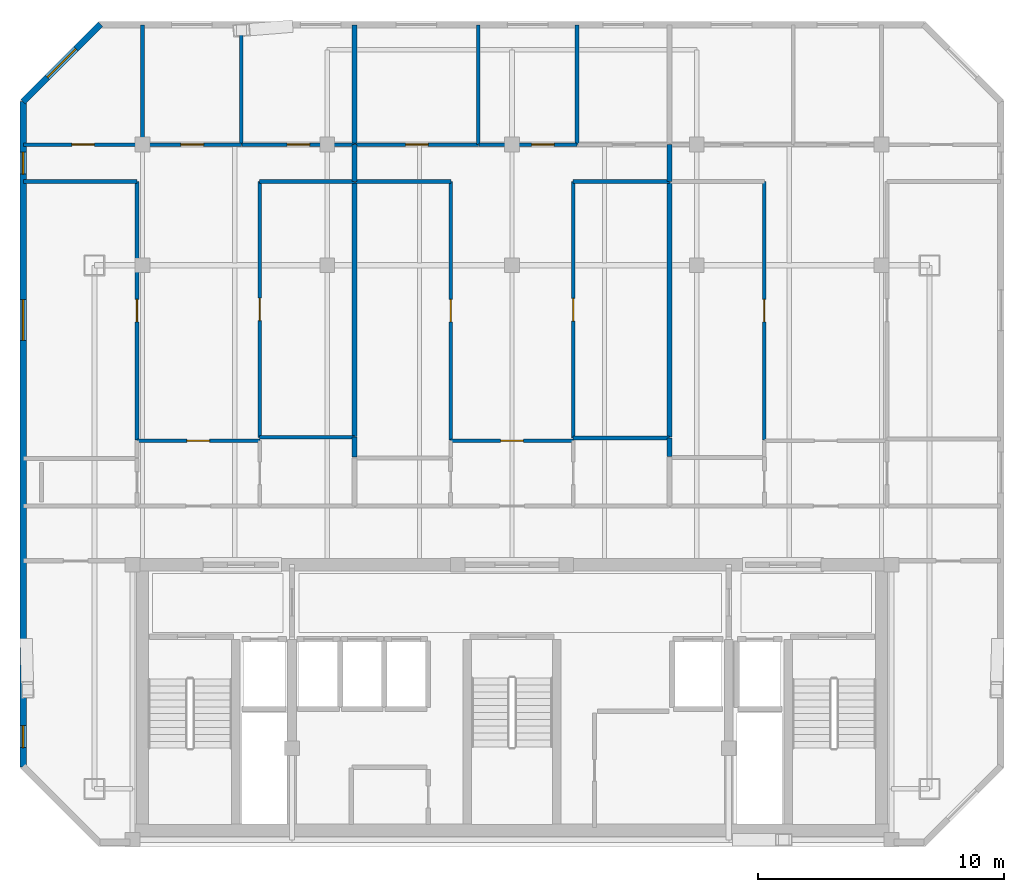
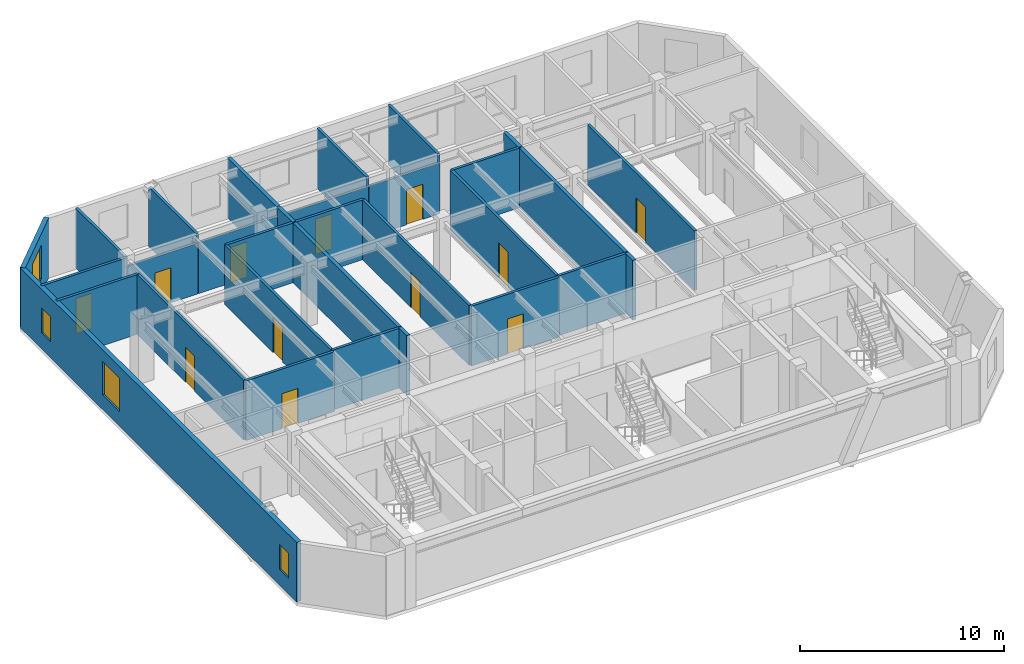
# One storey, part 4 of 7: 31 walls, 12 doors, 4 windows, 16 openings.
"""IFC4 building model written with IfcOpenShell, lengths in metres."""

from ifc_helpers import new_model, si_unit, direction, frame, frame_2d, origin, place, context, subcontext, project, spatial, rectangle, extrude, material, layer, layer_set, type_object, element, fill, save


model = new_model("IFC4")

# Units and contexts
model_context = context("Model", 3, precision=1e-05, world=origin(), true_north=direction((0.0, 1.0)))
body_context = subcontext(model_context, "Body", "Model", "MODEL_VIEW")
ifc_project = project(units=[si_unit("LENGTHUNIT", "METRE"), si_unit("AREAUNIT", "SQUARE_METRE"), si_unit("VOLUMEUNIT", "CUBIC_METRE"), si_unit("PLANEANGLEUNIT", "RADIAN"), si_unit("MASSUNIT", "GRAM", prefix="KILO")], contexts=[model_context])

# Site, building, storey
site_placement = place(None, origin())
site = spatial("IfcSite", under=ifc_project, at=site_placement, CompositionType="ELEMENT")
building_placement = place(site_placement, origin())
building = spatial("IfcBuilding", under=site, at=building_placement, Name="Ventersveld Concourse Tower", CompositionType="ELEMENT")
storey_placement = place(building_placement, frame((0.0, 0.0, 304.14990234375)))
storey = spatial("IfcBuildingStorey", under=building, at=storey_placement, Name="L75", CompositionType="ELEMENT", Elevation=304.14990234375)

# Walls
ifc_material_1 = material(Name="Fire-rated autoclaved aerated masonry blockwork", Category="masonry")
ifc_layer_1 = layer(ifc_material_1, 0.199951171875)
ifc_layer_set_1 = layer_set([ifc_layer_1], Name="Fire-rated autoclaved aerated masonry blockwork")
wall_type_1 = type_object("IfcWallType", Name="WL-DEMISE-200", PredefinedType="PARTITIONING", material=ifc_layer_set_1)
wall_1_placement = place(storey_placement, frame((22.356689453125, 26.9951171875, 0.0), z_axis=(0.0, 0.0, 1.0), x_axis=(0.0, 1.0, 0.0)))
element("IfcWall", 1, at=wall_1_placement, inside=storey, type_object=wall_type_1, Name="L75 Interior Partition SP-L75-75N1-LIV-SP-L75-75N2-LIV", PredefinedType="PARTITIONING", context=body_context, shape_type="SweptSolid", body=[
    extrude(rectangle(XDim=1.509765625, YDim=0.199951171875, at=frame_2d((0.7548828125, 0.0))), origin(), (0.0, 0.0, 1.0), 3.570068359375),
])
wall_2_placement = place(storey_placement, frame((22.356689453125, 15.8173828125, 0.0), z_axis=(0.0, 0.0, 1.0), x_axis=(0.0, 1.0, 0.0)))
element("IfcWall", 2, at=wall_2_placement, inside=storey, type_object=wall_type_1, Name="L75 Interior Partition SP-L75-75N1-KIT-SP-L75-75N2-OFFL0", PredefinedType="PARTITIONING", context=body_context, shape_type="SweptSolid", body=[
    extrude(rectangle(XDim=0.812744140625, YDim=0.199951171875, at=frame_2d((0.40625, 0.0))), origin(), (0.0, 0.0, 1.0), 3.570068359375),
])
wall_3_placement = place(storey_placement, frame((22.356689453125, 16.66015625, 0.0), z_axis=(0.0, 0.0, 1.0), x_axis=(0.0, 1.0, 0.0)))
element("IfcWall", 3, at=wall_3_placement, inside=storey, type_object=wall_type_1, Name="L75 Interior Partition SP-L75-75N1-SEMR1-SP-L75-75N2-OFFL0", PredefinedType="PARTITIONING", context=body_context, shape_type="SweptSolid", body=[
    extrude(rectangle(XDim=10.304931640625, YDim=0.199951171875, at=frame_2d((5.15234375, 0.0))), origin(), (0.0, 0.0, 1.0), 3.570068359375),
])
wall_4_placement = place(storey_placement, frame((22.356689453125, 28.534912109375, 0.0), z_axis=(0.0, 0.0, 1.0), x_axis=(0.0, 1.0, 0.0)))
element("IfcWall", 4, at=wall_4_placement, inside=storey, type_object=wall_type_1, Name="L75 Interior Partition SP-L75-75N1-BR3-SP-L75-75N2-BR1", PredefinedType="PARTITIONING", context=body_context, shape_type="SweptSolid", body=[
    extrude(rectangle(XDim=4.814453125, YDim=0.199951171875, at=frame_2d((2.4072265625, 0.0))), origin(), (0.0, 0.0, 1.0), 3.570068359375),
])
wall_5_placement = place(storey_placement, frame((35.1435546875, 26.9951171875, 0.0), z_axis=(0.0, 0.0, 1.0), x_axis=(0.0, 1.0, 0.0)))
element("IfcWall", 5, at=wall_5_placement, inside=storey, type_object=wall_type_1, Name="L75 Interior Partition SP-L75-75N2-LIV-SP-L75-75N3-LIV", PredefinedType="PARTITIONING", context=body_context, shape_type="SweptSolid", body=[
    extrude(rectangle(XDim=1.509765625, YDim=0.199951171875, at=frame_2d((0.7548828125, 0.0))), origin(), (0.0, 0.0, 1.0), 3.570068359375),
])
wall_6_placement = place(storey_placement, frame((35.1435546875, 15.843017578125, 0.0), z_axis=(0.0, 0.0, 1.0), x_axis=(0.0, 1.0, 0.0)))
element("IfcWall", 6, at=wall_6_placement, inside=storey, type_object=wall_type_1, Name="L75 Interior Partition SP-L75-75N2-KIT-SP-L75-75N3-OFFL0", PredefinedType="PARTITIONING", context=body_context, shape_type="SweptSolid", body=[
    extrude(rectangle(XDim=0.750244140625, YDim=0.199951171875, at=frame_2d((0.375, 0.0))), origin(), (0.0, 0.0, 1.0), 3.570068359375),
])
wall_7_placement = place(storey_placement, frame((35.1435546875, 16.623291015625, 0.0), z_axis=(0.0, 0.0, 1.0), x_axis=(0.0, 1.0, 0.0)))
element("IfcWall", 7, at=wall_7_placement, inside=storey, type_object=wall_type_1, Name="L75 Interior Partition SP-L75-75N2-DENR-SP-L75-75N3-OFFL0", PredefinedType="PARTITIONING", context=body_context, shape_type="SweptSolid", body=[
    extrude(rectangle(XDim=10.341796875, YDim=0.199951171875, at=frame_2d((5.1708984375, 0.0))), origin(), (0.0, 0.0, 1.0), 3.570068359375),
])

# Wall, opening, door
ifc_material_2 = material(Name="Autoclaved aerated masonry blockwork", Category="masonry")
ifc_layer_2 = layer(ifc_material_2, 0.14990234375)
ifc_layer_set_2 = layer_set([ifc_layer_2], Name="Autoclaved aerated masonry blockwork")
wall_type_2 = type_object("IfcWallType", Name="WL-INT-150", PredefinedType="PARTITIONING", material=ifc_layer_set_2)
wall_8_placement = place(storey_placement, frame((13.5205078125, 16.480224609375, 0.0), z_axis=(0.0, 0.0, 1.0), x_axis=(1.0, 0.0, 0.0)))
wall_8 = element("IfcWall", 8, at=wall_8_placement, inside=storey, type_object=wall_type_2, Name="L75 Interior Partition SP-L75-75N1-FOY-SP-L75-75N1-LIV", PredefinedType="PARTITIONING", context=body_context, shape_type="SweptSolid", body=[
    extrude(rectangle(XDim=4.989990234375, YDim=0.14990234375, at=frame_2d((2.4951171875, 0.0))), origin(), (0.0, 0.0, 1.0), 3.570068359375),
])
opening_1_placement = place(wall_8_placement, frame((2.034912109375, 0.0, 0.0)))
opening_1 = element("IfcOpeningElement", 9, at=opening_1_placement, cuts=wall_8, Name="Opening ID1", PredefinedType="OPENING", context=body_context, shape_type="SweptSolid", body=[
    extrude(rectangle(XDim=0.919921875, YDim=2.10009765625, at=frame_2d((0.4599609375, 1.050048828125))), frame((0.0, 0.0849609375, 0.0), z_axis=(0.0, -1.0, 0.0), x_axis=(1.0, 0.0, 0.0)), (0.0, 0.0, 1.0), 0.169921875),
])
ifc_material_3 = material(Name="Solid-core hardwood veneer timber", Category="wood")
door_type = type_object("IfcDoorType", Name="DR-ROOM-092", OperationType="NOTDEFINED", PredefinedType="DOOR", material=ifc_material_3)
door_1_placement = place(opening_1_placement, origin())
door_1 = element("IfcDoor", 10, at=door_1_placement, inside=storey, type_object=door_type, Name="L75 Interior Door SP-L75-75N1-FOY to SP-L75-75N1-LIV (D-L75-3455)", OperationType="SINGLE_SWING_LEFT", OverallHeight=2.10009765625, OverallWidth=0.919921875, PredefinedType="DOOR", context=body_context, shape_type="SweptSolid", body=[
    extrude(rectangle(XDim=0.919921875, YDim=2.10009765625, at=frame_2d((0.4599609375, 1.050048828125))), frame((0.0, 0.02490234375, 0.0), z_axis=(0.0, -1.0, 0.0), x_axis=(1.0, 0.0, 0.0)), (0.0, 0.0, 1.0), 0.050048828125),
])
fill(opening_1, door_1)

wall_9_placement = place(storey_placement, frame((13.525634765625, 16.51513671875, 0.0), z_axis=(0.0, 0.0, 1.0), x_axis=(0.0, 1.0, 0.0)))
wall_9 = element("IfcWall", 11, at=wall_9_placement, inside=storey, type_object=wall_type_2, Name="L75 Interior Partition SP-L75-75N1-LIV-SP-L75-75N1-OFFL0", PredefinedType="PARTITIONING", context=body_context, shape_type="SweptSolid", body=[
    extrude(rectangle(XDim=10.48974609375, YDim=0.14990234375, at=frame_2d((5.244873046875, 0.0))), origin(), (0.0, 0.0, 1.0), 3.570068359375),
])
opening_2_placement = place(wall_9_placement, frame((4.784912109375, 0.0, 0.0)))
opening_2 = element("IfcOpeningElement", 12, at=opening_2_placement, cuts=wall_9, Name="Opening ID1", PredefinedType="OPENING", context=body_context, shape_type="SweptSolid", body=[
    extrude(rectangle(XDim=0.919921875, YDim=2.10009765625, at=frame_2d((0.4599609375, 1.050048828125))), frame((0.0, 0.0849609375, 0.0), z_axis=(0.0, -1.0, 0.0), x_axis=(1.0, 0.0, 0.0)), (0.0, 0.0, 1.0), 0.169921875),
])
door_2_placement = place(opening_2_placement, origin())
door_2 = element("IfcDoor", 13, at=door_2_placement, inside=storey, type_object=door_type, Name="L75 Interior Door SP-L75-75N1-LIV to SP-L75-75N1-OFFL0 (D-L75-3458)", OperationType="SINGLE_SWING_RIGHT", OverallHeight=2.10009765625, OverallWidth=0.919921875, PredefinedType="DOOR", context=body_context, shape_type="SweptSolid", body=[
    extrude(rectangle(XDim=0.919921875, YDim=2.10009765625, at=frame_2d((0.4599609375, 1.050048828125))), frame((0.0, 0.02490234375, 0.0), z_axis=(0.0, -1.0, 0.0), x_axis=(1.0, 0.0, 0.0)), (0.0, 0.0, 1.0), 0.050048828125),
])
fill(opening_2, door_2)

# Wall
wall_10_placement = place(storey_placement, frame((8.92919921875, 27.0, 0.0), z_axis=(0.0, 0.0, 1.0), x_axis=(1.0, 0.0, 0.0)))
element("IfcWall", 14, at=wall_10_placement, inside=storey, type_object=wall_type_2, Name="L75 Interior Partition SP-L75-75N1-LIV-SP-L75-75N1-OFFL0", PredefinedType="PARTITIONING", context=body_context, shape_type="SweptSolid", body=[
    extrude(rectangle(XDim=4.601318359375, YDim=0.14990234375, at=frame_2d((2.30078125, 0.0))), origin(), (0.0, 0.0, 1.0), 3.570068359375),
])

# Wall, opening, door
wall_11_placement = place(storey_placement, frame((18.505615234375, 16.6201171875, 0.0), z_axis=(0.0, 0.0, 1.0), x_axis=(0.0, 1.0, 0.0)))
wall_11 = element("IfcWall", 15, at=wall_11_placement, inside=storey, type_object=wall_type_2, Name="L75 Interior Partition SP-L75-75N1-LIV-SP-L75-75N1-SEMR1", PredefinedType="PARTITIONING", context=body_context, shape_type="SweptSolid", body=[
    extrude(rectangle(XDim=10.384765625, YDim=0.14990234375, at=frame_2d((5.1923828125, 0.0))), origin(), (0.0, 0.0, 1.0), 3.570068359375),
])
opening_3_placement = place(wall_11_placement, frame((4.732421875, 0.0, 0.0)))
opening_3 = element("IfcOpeningElement", 16, at=opening_3_placement, cuts=wall_11, Name="Opening ID1", PredefinedType="OPENING", context=body_context, shape_type="SweptSolid", body=[
    extrude(rectangle(XDim=0.919921875, YDim=2.10009765625, at=frame_2d((0.4599609375, 1.050048828125))), frame((0.0, 0.0849609375, 0.0), z_axis=(0.0, -1.0, 0.0), x_axis=(1.0, 0.0, 0.0)), (0.0, 0.0, 1.0), 0.169921875),
])
door_3_placement = place(opening_3_placement, origin())
door_3 = element("IfcDoor", 17, at=door_3_placement, inside=storey, type_object=door_type, Name="L75 Interior Door SP-L75-75N1-LIV to SP-L75-75N1-SEMR1 (D-L75-3459)", OperationType="SINGLE_SWING_LEFT", OverallHeight=2.10009765625, OverallWidth=0.919921875, PredefinedType="DOOR", context=body_context, shape_type="SweptSolid", body=[
    extrude(rectangle(XDim=0.919921875, YDim=2.10009765625, at=frame_2d((0.4599609375, 1.050048828125))), frame((0.0, 0.02490234375, 0.0), z_axis=(0.0, -1.0, 0.0), x_axis=(1.0, 0.0, 0.0)), (0.0, 0.0, 1.0), 0.050048828125),
])
fill(opening_3, door_3)

# Wall
wall_12_placement = place(storey_placement, frame((18.50048828125, 27.0, 0.0), z_axis=(0.0, 0.0, 1.0), x_axis=(1.0, 0.0, 0.0)))
element("IfcWall", 18, at=wall_12_placement, inside=storey, type_object=wall_type_2, Name="L75 Interior Partition SP-L75-75N1-LIV-SP-L75-75N1-SEMR1", PredefinedType="PARTITIONING", context=body_context, shape_type="SweptSolid", body=[
    extrude(rectangle(XDim=3.861083984375, YDim=0.14990234375, at=frame_2d((1.9306640625, 0.0))), origin(), (0.0, 0.0, 1.0), 3.570068359375),
])

# Wall, opening, door
wall_13_placement = place(storey_placement, frame((8.92919921875, 28.5, 0.0), z_axis=(0.0, 0.0, 1.0), x_axis=(1.0, 0.0, 0.0)))
wall_13 = element("IfcWall", 19, at=wall_13_placement, inside=storey, type_object=wall_type_2, Name="L75 Interior Partition SP-L75-75N1-LIV-SP-L75-75N1-BR1", PredefinedType="PARTITIONING", context=body_context, shape_type="SweptSolid", body=[
    extrude(rectangle(XDim=4.82568359375, YDim=0.14990234375, at=frame_2d((2.412841796875, 0.0))), origin(), (0.0, 0.0, 1.0), 3.570068359375),
])
opening_4_placement = place(wall_13_placement, frame((1.952880859375, 0.0, 0.0)))
opening_4 = element("IfcOpeningElement", 20, at=opening_4_placement, cuts=wall_13, Name="Opening ID1", PredefinedType="OPENING", context=body_context, shape_type="SweptSolid", body=[
    extrude(rectangle(XDim=0.919921875, YDim=2.10009765625, at=frame_2d((0.4599609375, 1.050048828125))), frame((0.0, 0.0849609375, 0.0), z_axis=(0.0, -1.0, 0.0), x_axis=(1.0, 0.0, 0.0)), (0.0, 0.0, 1.0), 0.169921875),
])
door_4_placement = place(opening_4_placement, origin())
door_4 = element("IfcDoor", 21, at=door_4_placement, inside=storey, type_object=door_type, Name="L75 Interior Door SP-L75-75N1-LIV to SP-L75-75N1-BR1 (D-L75-3460)", OperationType="SINGLE_SWING_RIGHT", OverallHeight=2.10009765625, OverallWidth=0.919921875, PredefinedType="DOOR", context=body_context, shape_type="SweptSolid", body=[
    extrude(rectangle(XDim=0.919921875, YDim=2.10009765625, at=frame_2d((0.4599609375, 1.050048828125))), frame((0.0, 0.02490234375, 0.0), z_axis=(0.0, -1.0, 0.0), x_axis=(1.0, 0.0, 0.0)), (0.0, 0.0, 1.0), 0.050048828125),
])
fill(opening_4, door_4)

wall_14_placement = place(storey_placement, frame((13.784912109375, 28.5, 0.0), z_axis=(0.0, 0.0, 1.0), x_axis=(1.0, 0.0, 0.0)))
wall_14 = element("IfcWall", 22, at=wall_14_placement, inside=storey, type_object=wall_type_2, Name="L75 Interior Partition SP-L75-75N1-LIV-SP-L75-75N1-BR2", PredefinedType="PARTITIONING", context=body_context, shape_type="SweptSolid", body=[
    extrude(rectangle(XDim=3.977294921875, YDim=0.14990234375, at=frame_2d((1.98876953125, 0.0))), origin(), (0.0, 0.0, 1.0), 3.037109375),
])
opening_5_placement = place(wall_14_placement, frame((1.528564453125, 0.0, 0.0)))
opening_5 = element("IfcOpeningElement", 23, at=opening_5_placement, cuts=wall_14, Name="Opening ID1", PredefinedType="OPENING", context=body_context, shape_type="SweptSolid", body=[
    extrude(rectangle(XDim=0.919921875, YDim=2.10009765625, at=frame_2d((0.4599609375, 1.050048828125))), frame((0.0, 0.0849609375, 0.0), z_axis=(0.0, -1.0, 0.0), x_axis=(1.0, 0.0, 0.0)), (0.0, 0.0, 1.0), 0.169921875),
])
door_5_placement = place(opening_5_placement, origin())
door_5 = element("IfcDoor", 24, at=door_5_placement, inside=storey, type_object=door_type, Name="L75 Interior Door SP-L75-75N1-LIV to SP-L75-75N1-BR2 (D-L75-3461)", OperationType="SINGLE_SWING_LEFT", OverallHeight=2.10009765625, OverallWidth=0.919921875, PredefinedType="DOOR", context=body_context, shape_type="SweptSolid", body=[
    extrude(rectangle(XDim=0.919921875, YDim=2.10009765625, at=frame_2d((0.4599609375, 1.050048828125))), frame((0.0, 0.02490234375, 0.0), z_axis=(0.0, -1.0, 0.0), x_axis=(1.0, 0.0, 0.0)), (0.0, 0.0, 1.0), 0.050048828125),
])
fill(opening_5, door_5)

wall_15_placement = place(storey_placement, frame((17.792236328125, 28.5, 0.0), z_axis=(0.0, 0.0, 1.0), x_axis=(1.0, 0.0, 0.0)))
wall_15 = element("IfcWall", 25, at=wall_15_placement, inside=storey, type_object=wall_type_2, Name="L75 Interior Partition SP-L75-75N1-LIV-SP-L75-75N1-BR3", PredefinedType="PARTITIONING", context=body_context, shape_type="SweptSolid", body=[
    extrude(rectangle(XDim=4.5693359375, YDim=0.14990234375, at=frame_2d((2.28466796875, 0.0))), origin(), (0.0, 0.0, 1.0), 3.037109375),
])
opening_6_placement = place(wall_15_placement, frame((1.82470703125, 0.0, 0.0)))
opening_6 = element("IfcOpeningElement", 26, at=opening_6_placement, cuts=wall_15, Name="Opening ID1", PredefinedType="OPENING", context=body_context, shape_type="SweptSolid", body=[
    extrude(rectangle(XDim=0.919921875, YDim=2.10009765625, at=frame_2d((0.4599609375, 1.050048828125))), frame((0.0, 0.0849609375, 0.0), z_axis=(0.0, -1.0, 0.0), x_axis=(1.0, 0.0, 0.0)), (0.0, 0.0, 1.0), 0.169921875),
])
door_6_placement = place(opening_6_placement, origin())
door_6 = element("IfcDoor", 27, at=door_6_placement, inside=storey, type_object=door_type, Name="L75 Interior Door SP-L75-75N1-LIV to SP-L75-75N1-BR3 (D-L75-3462)", OperationType="SINGLE_SWING_RIGHT", OverallHeight=2.10009765625, OverallWidth=0.919921875, PredefinedType="DOOR", context=body_context, shape_type="SweptSolid", body=[
    extrude(rectangle(XDim=0.919921875, YDim=2.10009765625, at=frame_2d((0.4599609375, 1.050048828125))), frame((0.0, 0.02490234375, 0.0), z_axis=(0.0, -1.0, 0.0), x_axis=(1.0, 0.0, 0.0)), (0.0, 0.0, 1.0), 0.050048828125),
])
fill(opening_6, door_6)

# Walls
wall_16_placement = place(storey_placement, frame((18.50048828125, 16.625, 0.0), z_axis=(0.0, 0.0, 1.0), x_axis=(1.0, 0.0, 0.0)))
element("IfcWall", 28, at=wall_16_placement, inside=storey, type_object=wall_type_2, Name="L75 Interior Partition SP-L75-75N1-KIT-SP-L75-75N1-SEMR1", PredefinedType="PARTITIONING", context=body_context, shape_type="SweptSolid", body=[
    extrude(rectangle(XDim=3.861083984375, YDim=0.14990234375, at=frame_2d((1.9306640625, 0.0))), origin(), (0.0, 0.0, 1.0), 3.570068359375),
])
wall_17_placement = place(storey_placement, frame((13.75, 28.4951171875, 0.0), z_axis=(0.0, 0.0, 1.0), x_axis=(0.0, 1.0, 0.0)))
element("IfcWall", 29, at=wall_17_placement, inside=storey, type_object=wall_type_2, Name="L75 Interior Partition SP-L75-75N1-BR1-SP-L75-75N1-BR2", PredefinedType="PARTITIONING", context=body_context, shape_type="SweptSolid", body=[
    extrude(rectangle(XDim=4.854248046875, YDim=0.14990234375, at=frame_2d((2.42724609375, 0.0))), origin(), (0.0, 0.0, 1.0), 3.570068359375),
])
wall_18_placement = place(storey_placement, frame((17.757080078125, 28.4951171875, 0.0), z_axis=(0.0, 0.0, 1.0), x_axis=(0.0, 1.0, 0.0)))
element("IfcWall", 30, at=wall_18_placement, inside=storey, type_object=wall_type_2, Name="L75 Interior Partition SP-L75-75N1-BR2-SP-L75-75N1-BR3", PredefinedType="PARTITIONING", context=body_context, shape_type="SweptSolid", body=[
    extrude(rectangle(XDim=4.6259765625, YDim=0.14990234375, at=frame_2d((2.31298828125, 0.0))), origin(), (0.0, 0.0, 1.0), 3.570068359375),
])

# Wall, opening, door
wall_19_placement = place(storey_placement, frame((26.255126953125, 16.480224609375, 0.0), z_axis=(0.0, 0.0, 1.0), x_axis=(1.0, 0.0, 0.0)))
wall_19 = element("IfcWall", 31, at=wall_19_placement, inside=storey, type_object=wall_type_2, Name="L75 Interior Partition SP-L75-75N2-FOY-SP-L75-75N2-LIV", PredefinedType="PARTITIONING", context=body_context, shape_type="SweptSolid", body=[
    extrude(rectangle(XDim=4.989990234375, YDim=0.14990234375, at=frame_2d((2.4951171875, 0.0))), origin(), (0.0, 0.0, 1.0), 3.570068359375),
])
opening_7_placement = place(wall_19_placement, frame((2.034912109375, 0.0, 0.0)))
opening_7 = element("IfcOpeningElement", 32, at=opening_7_placement, cuts=wall_19, Name="Opening ID1", PredefinedType="OPENING", context=body_context, shape_type="SweptSolid", body=[
    extrude(rectangle(XDim=0.919921875, YDim=2.10009765625, at=frame_2d((0.4599609375, 1.050048828125))), frame((0.0, 0.0849609375, 0.0), z_axis=(0.0, -1.0, 0.0), x_axis=(1.0, 0.0, 0.0)), (0.0, 0.0, 1.0), 0.169921875),
])
door_7_placement = place(opening_7_placement, origin())
door_7 = element("IfcDoor", 33, at=door_7_placement, inside=storey, type_object=door_type, Name="L75 Interior Door SP-L75-75N2-FOY to SP-L75-75N2-LIV (D-L75-3463)", OperationType="SINGLE_SWING_LEFT", OverallHeight=2.10009765625, OverallWidth=0.919921875, PredefinedType="DOOR", context=body_context, shape_type="SweptSolid", body=[
    extrude(rectangle(XDim=0.919921875, YDim=2.10009765625, at=frame_2d((0.4599609375, 1.050048828125))), frame((0.0, 0.02490234375, 0.0), z_axis=(0.0, -1.0, 0.0), x_axis=(1.0, 0.0, 0.0)), (0.0, 0.0, 1.0), 0.050048828125),
])
fill(opening_7, door_7)

wall_20_placement = place(storey_placement, frame((26.260009765625, 16.51513671875, 0.0), z_axis=(0.0, 0.0, 1.0), x_axis=(0.0, 1.0, 0.0)))
wall_20 = element("IfcWall", 34, at=wall_20_placement, inside=storey, type_object=wall_type_2, Name="L75 Interior Partition SP-L75-75N2-LIV-SP-L75-75N2-OFFL0", PredefinedType="PARTITIONING", context=body_context, shape_type="SweptSolid", body=[
    extrude(rectangle(XDim=10.48974609375, YDim=0.14990234375, at=frame_2d((5.244873046875, 0.0))), origin(), (0.0, 0.0, 1.0), 3.570068359375),
])
opening_8_placement = place(wall_20_placement, frame((4.784912109375, 0.0, 0.0)))
opening_8 = element("IfcOpeningElement", 35, at=opening_8_placement, cuts=wall_20, Name="Opening ID1", PredefinedType="OPENING", context=body_context, shape_type="SweptSolid", body=[
    extrude(rectangle(XDim=0.919921875, YDim=2.10009765625, at=frame_2d((0.4599609375, 1.050048828125))), frame((0.0, 0.0849609375, 0.0), z_axis=(0.0, -1.0, 0.0), x_axis=(1.0, 0.0, 0.0)), (0.0, 0.0, 1.0), 0.169921875),
])
door_8_placement = place(opening_8_placement, origin())
door_8 = element("IfcDoor", 36, at=door_8_placement, inside=storey, type_object=door_type, Name="L75 Interior Door SP-L75-75N2-LIV to SP-L75-75N2-OFFL0 (D-L75-3466)", OperationType="SINGLE_SWING_RIGHT", OverallHeight=2.10009765625, OverallWidth=0.919921875, PredefinedType="DOOR", context=body_context, shape_type="SweptSolid", body=[
    extrude(rectangle(XDim=0.919921875, YDim=2.10009765625, at=frame_2d((0.4599609375, 1.050048828125))), frame((0.0, 0.02490234375, 0.0), z_axis=(0.0, -1.0, 0.0), x_axis=(1.0, 0.0, 0.0)), (0.0, 0.0, 1.0), 0.050048828125),
])
fill(opening_8, door_8)

# Wall
wall_21_placement = place(storey_placement, frame((22.3916015625, 27.0, 0.0), z_axis=(0.0, 0.0, 1.0), x_axis=(1.0, 0.0, 0.0)))
element("IfcWall", 37, at=wall_21_placement, inside=storey, type_object=wall_type_2, Name="L75 Interior Partition SP-L75-75N2-LIV-SP-L75-75N2-OFFL0", PredefinedType="PARTITIONING", context=body_context, shape_type="SweptSolid", body=[
    extrude(rectangle(XDim=3.87353515625, YDim=0.14990234375, at=frame_2d((1.936767578125, 0.0))), origin(), (0.0, 0.0, 1.0), 3.570068359375),
])

# Wall, opening, door
wall_22_placement = place(storey_placement, frame((31.239990234375, 16.583251953125, 0.0), z_axis=(0.0, 0.0, 1.0), x_axis=(0.0, 1.0, 0.0)))
wall_22 = element("IfcWall", 38, at=wall_22_placement, inside=storey, type_object=wall_type_2, Name="L75 Interior Partition SP-L75-75N2-LIV-SP-L75-75N2-DENR", PredefinedType="PARTITIONING", context=body_context, shape_type="SweptSolid", body=[
    extrude(rectangle(XDim=10.421630859375, YDim=0.14990234375, at=frame_2d((5.2109375, 0.0))), origin(), (0.0, 0.0, 1.0), 3.570068359375),
])
opening_9_placement = place(wall_22_placement, frame((4.750732421875, 0.0, 0.0)))
opening_9 = element("IfcOpeningElement", 39, at=opening_9_placement, cuts=wall_22, Name="Opening ID1", PredefinedType="OPENING", context=body_context, shape_type="SweptSolid", body=[
    extrude(rectangle(XDim=0.919921875, YDim=2.10009765625, at=frame_2d((0.4599609375, 1.050048828125))), frame((0.0, 0.0849609375, 0.0), z_axis=(0.0, -1.0, 0.0), x_axis=(1.0, 0.0, 0.0)), (0.0, 0.0, 1.0), 0.169921875),
])
door_9_placement = place(opening_9_placement, origin())
door_9 = element("IfcDoor", 40, at=door_9_placement, inside=storey, type_object=door_type, Name="L75 Interior Door SP-L75-75N2-LIV to SP-L75-75N2-DENR (D-L75-3467)", OperationType="SINGLE_SWING_LEFT", OverallHeight=2.10009765625, OverallWidth=0.919921875, PredefinedType="DOOR", context=body_context, shape_type="SweptSolid", body=[
    extrude(rectangle(XDim=0.919921875, YDim=2.10009765625, at=frame_2d((0.4599609375, 1.050048828125))), frame((0.0, 0.02490234375, 0.0), z_axis=(0.0, -1.0, 0.0), x_axis=(1.0, 0.0, 0.0)), (0.0, 0.0, 1.0), 0.050048828125),
])
fill(opening_9, door_9)

# Wall
wall_23_placement = place(storey_placement, frame((31.235107421875, 27.0, 0.0), z_axis=(0.0, 0.0, 1.0), x_axis=(1.0, 0.0, 0.0)))
element("IfcWall", 41, at=wall_23_placement, inside=storey, type_object=wall_type_2, Name="L75 Interior Partition SP-L75-75N2-LIV-SP-L75-75N2-DENR", PredefinedType="PARTITIONING", context=body_context, shape_type="SweptSolid", body=[
    extrude(rectangle(XDim=3.913330078125, YDim=0.14990234375, at=frame_2d((1.95654296875, 0.0))), origin(), (0.0, 0.0, 1.0), 3.570068359375),
])

# Wall, opening, door
wall_24_placement = place(storey_placement, frame((22.3916015625, 28.5, 0.0), z_axis=(0.0, 0.0, 1.0), x_axis=(1.0, 0.0, 0.0)))
wall_24 = element("IfcWall", 42, at=wall_24_placement, inside=storey, type_object=wall_type_2, Name="L75 Interior Partition SP-L75-75N2-LIV-SP-L75-75N2-BR1", PredefinedType="PARTITIONING", context=body_context, shape_type="SweptSolid", body=[
    extrude(rectangle(XDim=4.997802734375, YDim=0.14990234375, at=frame_2d((2.4990234375, 0.0))), origin(), (0.0, 0.0, 1.0), 3.037109375),
])
opening_10_placement = place(wall_24_placement, frame((2.038818359375, 0.0, 0.0)))
opening_10 = element("IfcOpeningElement", 43, at=opening_10_placement, cuts=wall_24, Name="Opening ID1", PredefinedType="OPENING", context=body_context, shape_type="SweptSolid", body=[
    extrude(rectangle(XDim=0.919921875, YDim=2.10009765625, at=frame_2d((0.4599609375, 1.050048828125))), frame((0.0, 0.0849609375, 0.0), z_axis=(0.0, -1.0, 0.0), x_axis=(1.0, 0.0, 0.0)), (0.0, 0.0, 1.0), 0.169921875),
])
door_10_placement = place(opening_10_placement, origin())
door_10 = element("IfcDoor", 44, at=door_10_placement, inside=storey, type_object=door_type, Name="L75 Interior Door SP-L75-75N2-LIV to SP-L75-75N2-BR1 (D-L75-3468)", OperationType="SINGLE_SWING_RIGHT", OverallHeight=2.10009765625, OverallWidth=0.919921875, PredefinedType="DOOR", context=body_context, shape_type="SweptSolid", body=[
    extrude(rectangle(XDim=0.919921875, YDim=2.10009765625, at=frame_2d((0.4599609375, 1.050048828125))), frame((0.0, 0.02490234375, 0.0), z_axis=(0.0, -1.0, 0.0), x_axis=(1.0, 0.0, 0.0)), (0.0, 0.0, 1.0), 0.050048828125),
])
fill(opening_10, door_10)

wall_25_placement = place(storey_placement, frame((27.419189453125, 28.5, 0.0), z_axis=(0.0, 0.0, 1.0), x_axis=(1.0, 0.0, 0.0)))
wall_25 = element("IfcWall", 45, at=wall_25_placement, inside=storey, type_object=wall_type_2, Name="L75 Interior Partition SP-L75-75N2-LIV-SP-L75-75N2-BR2", PredefinedType="PARTITIONING", context=body_context, shape_type="SweptSolid", body=[
    extrude(rectangle(XDim=3.977294921875, YDim=0.14990234375, at=frame_2d((1.98876953125, 0.0))), origin(), (0.0, 0.0, 1.0), 3.037109375),
])
opening_11_placement = place(wall_25_placement, frame((2.125244140625, 0.0, 0.0)))
opening_11 = element("IfcOpeningElement", 46, at=opening_11_placement, cuts=wall_25, Name="Opening ID1", PredefinedType="OPENING", context=body_context, shape_type="SweptSolid", body=[
    extrude(rectangle(XDim=0.919921875, YDim=2.10009765625, at=frame_2d((0.4599609375, 1.050048828125))), frame((0.0, 0.0849609375, 0.0), z_axis=(0.0, -1.0, 0.0), x_axis=(1.0, 0.0, 0.0)), (0.0, 0.0, 1.0), 0.169921875),
])
door_11_placement = place(opening_11_placement, origin())
door_11 = element("IfcDoor", 47, at=door_11_placement, inside=storey, type_object=door_type, Name="L75 Interior Door SP-L75-75N2-LIV to SP-L75-75N2-BR2 (D-L75-3469)", OperationType="SINGLE_SWING_LEFT", OverallHeight=2.10009765625, OverallWidth=0.919921875, PredefinedType="DOOR", context=body_context, shape_type="SweptSolid", body=[
    extrude(rectangle(XDim=0.919921875, YDim=2.10009765625, at=frame_2d((0.4599609375, 1.050048828125))), frame((0.0, 0.02490234375, 0.0), z_axis=(0.0, -1.0, 0.0), x_axis=(1.0, 0.0, 0.0)), (0.0, 0.0, 1.0), 0.050048828125),
])
fill(opening_11, door_11)

# Walls
wall_26_placement = place(storey_placement, frame((31.235107421875, 16.58837890625, 0.0), z_axis=(0.0, 0.0, 1.0), x_axis=(1.0, 0.0, 0.0)))
element("IfcWall", 48, at=wall_26_placement, inside=storey, type_object=wall_type_2, Name="L75 Interior Partition SP-L75-75N2-KIT-SP-L75-75N2-DENR", PredefinedType="PARTITIONING", context=body_context, shape_type="SweptSolid", body=[
    extrude(rectangle(XDim=3.913330078125, YDim=0.14990234375, at=frame_2d((1.95654296875, 0.0))), origin(), (0.0, 0.0, 1.0), 3.570068359375),
])
for number, where, z_axis, x_axis, name in (
    (49, (27.38427734375, 28.4951171875, 0.0), (0.0, 0.0, 1.0), (0.0, 1.0, 0.0), "L75 Interior Partition SP-L75-75N2-BR1-SP-L75-75N2-BR2"),
    (50, (31.3916015625, 28.4951171875, 0.0), (0.0, 0.0, 1.0), (0.0, 1.0, 0.0), "L75 Interior Partition SP-L75-75N2-BR2-SP-L75-75N2-BR3"),
):
    element("IfcWall", number, at=place(storey_placement, frame(where, z_axis=z_axis, x_axis=x_axis)), inside=storey, type_object=wall_type_2, Name=name, PredefinedType="PARTITIONING", context=body_context, shape_type="SweptSolid", body=[
        extrude(rectangle(XDim=4.854248046875, YDim=0.14990234375, at=frame_2d((2.42724609375, 0.0))), origin(), (0.0, 0.0, 1.0), 3.570068359375),
    ])

# Wall, opening, door
wall_27_placement = place(storey_placement, frame((38.994384765625, 16.51513671875, 0.0), z_axis=(0.0, 0.0, 1.0), x_axis=(0.0, 1.0, 0.0)))
wall_27 = element("IfcWall", 51, at=wall_27_placement, inside=storey, type_object=wall_type_2, Name="L75 Interior Partition SP-L75-75N3-LIV-SP-L75-75N3-OFFL0", PredefinedType="PARTITIONING", context=body_context, shape_type="SweptSolid", body=[
    extrude(rectangle(XDim=10.48974609375, YDim=0.14990234375, at=frame_2d((5.244873046875, 0.0))), origin(), (0.0, 0.0, 1.0), 3.570068359375),
])
opening_12_placement = place(wall_27_placement, frame((4.784912109375, 0.0, 0.0)))
opening_12 = element("IfcOpeningElement", 52, at=opening_12_placement, cuts=wall_27, Name="Opening ID1", PredefinedType="OPENING", context=body_context, shape_type="SweptSolid", body=[
    extrude(rectangle(XDim=0.919921875, YDim=2.10009765625, at=frame_2d((0.4599609375, 1.050048828125))), frame((0.0, 0.0849609375, 0.0), z_axis=(0.0, -1.0, 0.0), x_axis=(1.0, 0.0, 0.0)), (0.0, 0.0, 1.0), 0.169921875),
])
door_12_placement = place(opening_12_placement, origin())
door_12 = element("IfcDoor", 53, at=door_12_placement, inside=storey, type_object=door_type, Name="L75 Interior Door SP-L75-75N3-LIV to SP-L75-75N3-OFFL0 (D-L75-3474)", OperationType="SINGLE_SWING_RIGHT", OverallHeight=2.10009765625, OverallWidth=0.919921875, PredefinedType="DOOR", context=body_context, shape_type="SweptSolid", body=[
    extrude(rectangle(XDim=0.919921875, YDim=2.10009765625, at=frame_2d((0.4599609375, 1.050048828125))), frame((0.0, 0.02490234375, 0.0), z_axis=(0.0, -1.0, 0.0), x_axis=(1.0, 0.0, 0.0)), (0.0, 0.0, 1.0), 0.050048828125),
])
fill(opening_12, door_12)

# Wall, opening, window
ifc_material_4 = material(Name="Precast concrete C45/55", Category="concrete")
ifc_layer_3 = layer(ifc_material_4, 0.260009765625)
ifc_layer_set_3 = layer_set([ifc_layer_3], Name="Precast concrete C45/55")
wall_type_3 = type_object("IfcWallType", Name="WL-PREC-260", PredefinedType="SOLIDWALL", material=ifc_layer_set_3)
wall_28_placement = place(storey_placement, frame((12.043212890625, 33.378662109375, 0.0), z_axis=(0.0, 0.0, 1.0), x_axis=(-0.707079321262, -0.707134240044, 0.0)))
wall_28 = element("IfcWall", 54, at=wall_28_placement, inside=storey, type_object=wall_type_3, Name="L75 Highveld Precast Facade Wall E06", PredefinedType="SOLIDWALL", context=body_context, shape_type="SweptSolid", body=[
    extrude(rectangle(XDim=4.445556640625, YDim=0.260009765625, at=frame_2d((2.22265625, 0.0))), origin(), (0.0, 0.0, 1.0), 3.570068359375),
])
opening_13_placement = place(wall_28_placement, frame((1.397705078125, 0.0, 0.8798828125)))
opening_13 = element("IfcOpeningElement", 55, at=opening_13_placement, cuts=wall_28, Name="Opening W6", PredefinedType="OPENING", context=body_context, shape_type="SweptSolid", body=[
    extrude(rectangle(XDim=1.64990234375, YDim=2.0, at=frame_2d((0.824951171875, 1.0))), frame((0.0, 0.14013671875, 0.0), z_axis=(0.0, -1.0, 0.0), x_axis=(1.0, 0.0, 0.0)), (0.0, 0.0, 1.0), 0.280029296875),
])
ifc_material_5 = material(Name="Tempered acoustic Low-E IGU", Category="glass")
window_type_1 = type_object("IfcWindowType", Name="WIN-165x200", PartitioningType="SINGLE_PANEL", PredefinedType="WINDOW", material=ifc_material_5)
window_1_placement = place(opening_13_placement, origin())
window_1 = element("IfcWindow", 56, at=window_1_placement, inside=storey, type_object=window_type_1, Name="L75 Punched Low-E Window W-1066", OverallHeight=2.0, OverallWidth=1.64990234375, PartitioningType="SINGLE_PANEL", PredefinedType="WINDOW", context=body_context, shape_type="SweptSolid", body=[
    extrude(rectangle(XDim=1.64990234375, YDim=2.0, at=frame_2d((0.824951171875, 1.0))), frame((0.0, 0.030029296875, 0.0), z_axis=(0.0, -1.0, 0.0), x_axis=(1.0, 0.0, 0.0)), (0.0, 0.0, 1.0), 0.06005859375),
])
fill(opening_13, window_1)

# Wall, openings, windows
wall_29_placement = place(storey_placement, frame((8.90966796875, 30.2587890625, 0.0), z_axis=(0.0, 0.0, 1.0), x_axis=(0.0, -1.0, 0.0)))
wall_29 = element("IfcWall", 57, at=wall_29_placement, inside=storey, type_object=wall_type_3, Name="L75 Highveld Precast Facade Wall E07", PredefinedType="SOLIDWALL", context=body_context, shape_type="SweptSolid", body=[
    extrude(rectangle(XDim=27.018798828125, YDim=0.260009765625, at=frame_2d((13.50927734375, 0.0))), origin(), (0.0, 0.0, 1.0), 3.570068359375),
])
opening_14_placement = place(wall_29_placement, frame((25.3388671875, 0.0, 0.949951171875)))
opening_14 = element("IfcOpeningElement", 58, at=opening_14_placement, cuts=wall_29, Name="Opening W4", PredefinedType="OPENING", context=body_context, shape_type="SweptSolid", body=[
    extrude(rectangle(XDim=0.89990234375, YDim=1.5, at=frame_2d((0.449951171875, 0.75))), frame((0.0, 0.14013671875, 0.0), z_axis=(0.0, -1.0, 0.0), x_axis=(1.0, 0.0, 0.0)), (0.0, 0.0, 1.0), 0.280029296875),
])
opening_15_placement = place(wall_29_placement, frame((2.058837890625, 0.0, 0.949951171875)))
opening_15 = element("IfcOpeningElement", 59, at=opening_15_placement, cuts=wall_29, Name="Opening W4", PredefinedType="OPENING", context=body_context, shape_type="SweptSolid", body=[
    extrude(rectangle(XDim=0.89990234375, YDim=1.5, at=frame_2d((0.449951171875, 0.75))), frame((0.0, 0.14013671875, 0.0), z_axis=(0.0, -1.0, 0.0), x_axis=(1.0, 0.0, 0.0)), (0.0, 0.0, 1.0), 0.280029296875),
])
opening_16_placement = place(wall_29_placement, frame((8.054931640625, 0.0, 0.8798828125)))
opening_16 = element("IfcOpeningElement", 60, at=opening_16_placement, cuts=wall_29, Name="Opening W6", PredefinedType="OPENING", context=body_context, shape_type="SweptSolid", body=[
    extrude(rectangle(XDim=1.64990234375, YDim=2.0, at=frame_2d((0.824951171875, 1.0))), frame((0.0, 0.14013671875, 0.0), z_axis=(0.0, -1.0, 0.0), x_axis=(1.0, 0.0, 0.0)), (0.0, 0.0, 1.0), 0.280029296875),
])
window_type_2 = type_object("IfcWindowType", Name="WIN-090x150", PartitioningType="SINGLE_PANEL", PredefinedType="WINDOW", material=ifc_material_5)
window_2_placement = place(opening_14_placement, origin())
window_2 = element("IfcWindow", 61, at=window_2_placement, inside=storey, type_object=window_type_2, Name="L75 Punched Low-E Window W-1062", OverallHeight=1.5, OverallWidth=0.89990234375, PartitioningType="SINGLE_PANEL", PredefinedType="WINDOW", context=body_context, shape_type="SweptSolid", body=[
    extrude(rectangle(XDim=0.89990234375, YDim=1.5, at=frame_2d((0.449951171875, 0.75))), frame((0.0, 0.030029296875, 0.0), z_axis=(0.0, -1.0, 0.0), x_axis=(1.0, 0.0, 0.0)), (0.0, 0.0, 1.0), 0.06005859375),
])
fill(opening_14, window_2)
window_3_placement = place(opening_15_placement, origin())
window_3 = element("IfcWindow", 62, at=window_3_placement, inside=storey, type_object=window_type_2, Name="L75 Punched Low-E Window W-1064", OverallHeight=1.5, OverallWidth=0.89990234375, PartitioningType="SINGLE_PANEL", PredefinedType="WINDOW", context=body_context, shape_type="SweptSolid", body=[
    extrude(rectangle(XDim=0.89990234375, YDim=1.5, at=frame_2d((0.449951171875, 0.75))), frame((0.0, 0.030029296875, 0.0), z_axis=(0.0, -1.0, 0.0), x_axis=(1.0, 0.0, 0.0)), (0.0, 0.0, 1.0), 0.06005859375),
])
fill(opening_15, window_3)
window_4_placement = place(opening_16_placement, origin())
window_4 = element("IfcWindow", 63, at=window_4_placement, inside=storey, type_object=window_type_1, Name="L75 Punched Low-E Window W-1065", OverallHeight=2.0, OverallWidth=1.64990234375, PartitioningType="SINGLE_PANEL", PredefinedType="WINDOW", context=body_context, shape_type="SweptSolid", body=[
    extrude(rectangle(XDim=1.64990234375, YDim=2.0, at=frame_2d((0.824951171875, 1.0))), frame((0.0, 0.030029296875, 0.0), z_axis=(0.0, -1.0, 0.0), x_axis=(1.0, 0.0, 0.0)), (0.0, 0.0, 1.0), 0.06005859375),
])
fill(opening_16, window_4)

save(model, "model.ifc")
